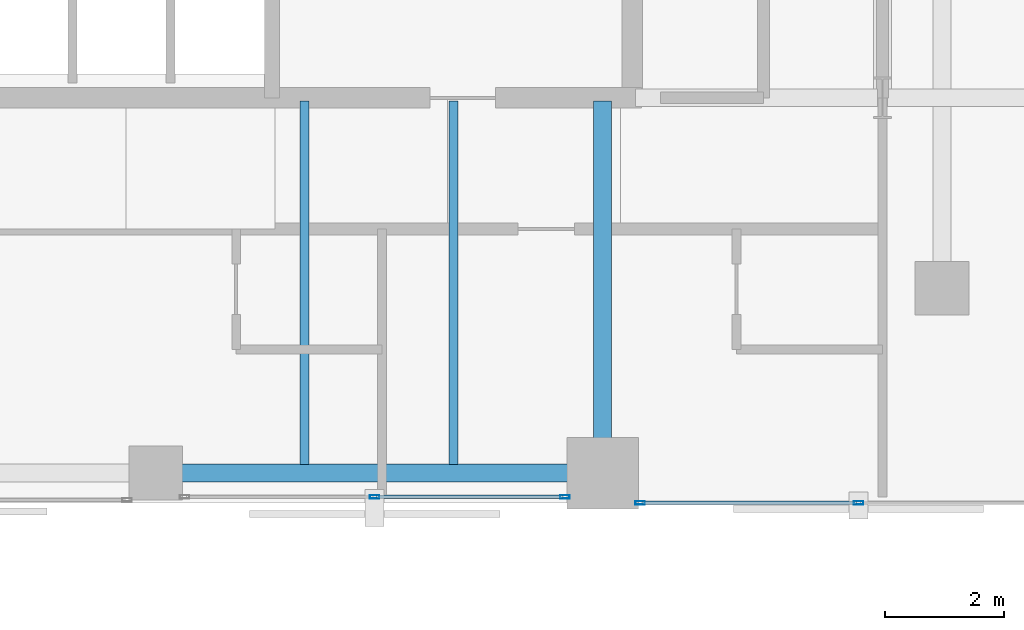
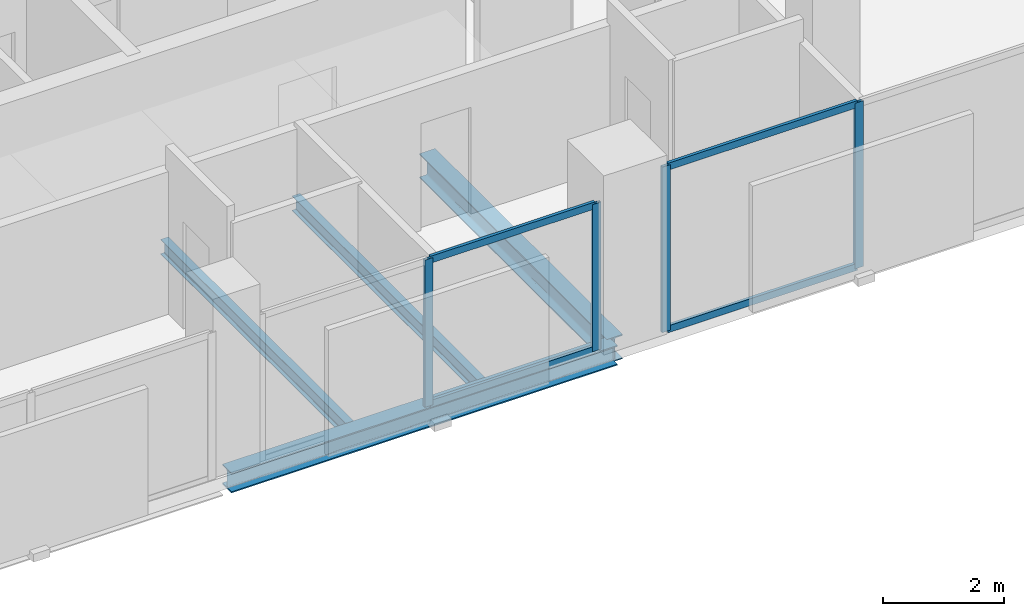
# One storey, part 14 of 33: 8 members, 4 beams, 2 elements without a shape of their own.
"""IFC4 building model written with IfcOpenShell, lengths in metres."""

from ifc_helpers import new_model, si_unit, direction, frame, origin, origin_2d, place, context, subcontext, project, spatial, hollow_rectangle, i_section, extrude, material, layer, layer_set, material_profile, profile_set, type_object, element, aggregate, save


model = new_model("IFC4")

# Units and contexts
model_context = context("Model", 3, precision=1e-05, world=origin(), true_north=direction((0.0, 1.0)))
body_context = subcontext(model_context, "Body", "Model", "MODEL_VIEW")
ifc_project = project(units=[si_unit("LENGTHUNIT", "METRE"), si_unit("AREAUNIT", "SQUARE_METRE"), si_unit("VOLUMEUNIT", "CUBIC_METRE"), si_unit("PLANEANGLEUNIT", "RADIAN"), si_unit("MASSUNIT", "GRAM", prefix="KILO")], contexts=[model_context])

# Site, building, storey
site_placement = place(None, origin())
site = spatial("IfcSite", under=ifc_project, at=site_placement, CompositionType="ELEMENT")
building_placement = place(site_placement, origin())
building = spatial("IfcBuilding", under=site, at=building_placement, Name="Catumbela Crestline Tower", CompositionType="ELEMENT")
storey_placement = place(building_placement, frame((0.0, 0.0, 100.8)))
storey = spatial("IfcBuildingStorey", under=building, at=storey_placement, Name="L25", CompositionType="ELEMENT", Elevation=100.8)

# Beams
ifc_material_1 = material(Name="Structural steel S355J2", Category="steel")
ifc_material_profile_1 = material_profile(ifc_material_1, i_section(OverallWidth=0.3, OverallDepth=0.49, WebThickness=0.012, FlangeThickness=0.023, FilletRadius=0.027, at=origin_2d()), Name="HEA 500")
ifc_profile_set_1 = profile_set([ifc_material_profile_1], Name="Structural steel S355J2")
beam_type_1 = type_object("IfcBeamType", Name="BG-HEA500", PredefinedType="BEAM", material=ifc_profile_set_1)
beam_1_placement = place(storey_placement, frame((39.5, 24.58, -0.505), z_axis=(0.0, 1.0, 0.0), x_axis=(-1.0, 0.0, 0.0)))
element("IfcBeam", 1, at=beam_1_placement, inside=storey, type_object=beam_type_1, Name="L25 Beam BM-L25-SNS31", PredefinedType="BEAM", context=body_context, shape_type="SweptSolid", body=[
    extrude(i_section(OverallWidth=0.3, OverallDepth=0.49, WebThickness=0.012, FlangeThickness=0.023, FilletRadius=0.027, at=origin_2d()), origin(), (0.0, 0.0, 1.0), 6.17),
])
ifc_material_profile_2 = material_profile(ifc_material_1, i_section(OverallWidth=0.15, OverallDepth=0.3, WebThickness=0.0071, FlangeThickness=0.0107, FilletRadius=0.015, at=origin_2d()), Name="IPE 300")
ifc_profile_set_2 = profile_set([ifc_material_profile_2], Name="Structural steel S355J2")
beam_type_2 = type_object("IfcBeamType", Name="BJ-IPE300", PredefinedType="JOIST", material=ifc_profile_set_2)
for number, where, z_axis, x_axis, name in (
    (2, (34.5, 24.647, -0.41), (0.0, 1.0, 0.0), (-1.0, 0.0, 0.0), "L25 Joist JS-L25-SP41"),
    (3, (37.0, 24.647, -0.41), (0.0, 1.0, 0.0), (-1.0, 0.0, 0.0), "L25 Joist JS-L25-SP42"),
):
    element("IfcBeam", number, at=place(storey_placement, frame(where, z_axis=z_axis, x_axis=x_axis)), inside=storey, type_object=beam_type_2, Name=name, PredefinedType="JOIST", context=body_context, shape_type="SweptSolid", body=[
        extrude(i_section(OverallWidth=0.15, OverallDepth=0.3, WebThickness=0.0071, FlangeThickness=0.0107, FilletRadius=0.015, at=origin_2d()), origin(), (0.0, 0.0, 1.0), 6.103),
    ])

# Curtain wall, members
ifc_material_2 = material(Name="Aluminium alloy AW-6060-T66", Category="aluminium")
ifc_layer = layer(ifc_material_2, 0.18, Name="Aluminium alloy AW-6060-T66")
ifc_layer_set = layer_set([ifc_layer], Name="Aluminium alloy AW-6060-T66")
curtain_wall_type = type_object("IfcCurtainWallType", Name="CWU-Z2", PredefinedType="USERDEFINED", material=ifc_layer_set)
curtain_wall_1_placement = place(storey_placement, origin())
curtain_wall_1 = element("IfcCurtainWall", 4, at=curtain_wall_1_placement, inside=storey, type_object=curtain_wall_type, Name="L25 Unitised Curtain Wall CW-L25-E3S2", ObjectType="UNITISED", PredefinedType="USERDEFINED")
ifc_material_profile_3 = material_profile(ifc_material_2, hollow_rectangle(XDim=0.06, YDim=0.16, WallThickness=0.004, at=origin_2d()), Name="ALU 160x60x4")
ifc_profile_set_3 = profile_set([ifc_material_profile_3], Name="Aluminium alloy AW-6060-T66")
member_type_1 = type_object("IfcMemberType", Name="MUL-160X60", PredefinedType="MULLION", material=ifc_profile_set_3)
member_1_placement = place(storey_placement, frame((35.675, 24.1, 0.0), z_axis=(0.0, 0.0, 1.0), x_axis=(0.0, 1.0, 0.0)))
member_1 = element("IfcMember", 5, at=member_1_placement, type_object=member_type_1, Name="CWU-Z2 mullion 2", PredefinedType="MULLION", context=body_context, shape_type="SweptSolid", body=[
    extrude(hollow_rectangle(XDim=0.06, YDim=0.16, WallThickness=0.004, at=origin_2d()), origin(), (0.0, 0.0, 1.0), 2.96),
])
member_2_placement = place(storey_placement, frame((38.8675, 24.1, 0.0), z_axis=(0.0, 0.0, 1.0), x_axis=(0.0, 1.0, 0.0)))
member_2 = element("IfcMember", 6, at=member_2_placement, type_object=member_type_1, Name="CWU-Z2 mullion 3", PredefinedType="MULLION", context=body_context, shape_type="SweptSolid", body=[
    extrude(hollow_rectangle(XDim=0.06, YDim=0.16, WallThickness=0.004, at=origin_2d()), origin(), (0.0, 0.0, 1.0), 2.96),
])

curtain_wall_2_placement = place(storey_placement, origin())
curtain_wall_2 = element("IfcCurtainWall", 7, at=curtain_wall_2_placement, inside=storey, type_object=curtain_wall_type, Name="L25 Unitised Curtain Wall CW-L25-E3S3", ObjectType="UNITISED", PredefinedType="USERDEFINED")
member_3_placement = place(storey_placement, frame((40.1325, 24.0, 0.0), z_axis=(0.0, 0.0, 1.0), x_axis=(0.0, 1.0, 0.0)))
member_3 = element("IfcMember", 8, at=member_3_placement, type_object=member_type_1, Name="CWU-Z2 mullion 1", PredefinedType="MULLION", context=body_context, shape_type="SweptSolid", body=[
    extrude(hollow_rectangle(XDim=0.06, YDim=0.16, WallThickness=0.004, at=origin_2d()), origin(), (0.0, 0.0, 1.0), 3.33),
])
member_4_placement = place(storey_placement, frame((43.8, 24.0, 0.0), z_axis=(0.0, 0.0, 1.0), x_axis=(0.0, 1.0, 0.0)))
member_4 = element("IfcMember", 9, at=member_4_placement, type_object=member_type_1, Name="CWU-Z2 mullion 2", PredefinedType="MULLION", context=body_context, shape_type="SweptSolid", body=[
    extrude(hollow_rectangle(XDim=0.06, YDim=0.16, WallThickness=0.004, at=origin_2d()), origin(), (0.0, 0.0, 1.0), 3.33),
])

# Beam
ifc_material_profile_4 = material_profile(ifc_material_1, i_section(OverallWidth=0.3, OverallDepth=0.4, WebThickness=0.0135, FlangeThickness=0.024, FilletRadius=0.027, at=origin_2d()), Name="HEB 400")
ifc_profile_set_4 = profile_set([ifc_material_profile_4], Name="Structural steel S355J2")
beam_type_3 = type_object("IfcBeamType", Name="BS-HEB400", PredefinedType="SPANDREL", material=ifc_profile_set_4)
beam_2_placement = place(storey_placement, frame((32.08, 24.5, -0.46), z_axis=(1.0, 0.0, 0.0), x_axis=(0.0, 1.0, 0.0)))
element("IfcBeam", 10, at=beam_2_placement, inside=storey, type_object=beam_type_3, Name="L25 Spandrel SP-L25-S06", PredefinedType="SPANDREL", context=body_context, shape_type="SweptSolid", body=[
    extrude(i_section(OverallWidth=0.3, OverallDepth=0.4, WebThickness=0.0135, FlangeThickness=0.024, FilletRadius=0.027, at=origin_2d()), origin(), (0.0, 0.0, 1.0), 7.34),
])

# Member
ifc_material_profile_5 = material_profile(ifc_material_2, hollow_rectangle(XDim=0.06, YDim=0.14, WallThickness=0.004, at=origin_2d()), Name="ALU 140x60x4")
ifc_profile_set_5 = profile_set([ifc_material_profile_5], Name="Aluminium alloy AW-6060-T66")
member_type_2 = type_object("IfcMemberType", Name="TRN-140X60", PredefinedType="USERDEFINED", material=ifc_profile_set_5)
member_5_placement = place(storey_placement, frame((35.7075, 24.1, 0.03), z_axis=(1.0, 0.0, 0.0), x_axis=(0.0, 1.0, 0.0)))
member_5 = element("IfcMember", 11, at=member_5_placement, type_object=member_type_2, Name="CWU-Z2 transom 2.1", ObjectType="TRANSOM", PredefinedType="USERDEFINED", context=body_context, shape_type="SweptSolid", body=[
    extrude(hollow_rectangle(XDim=0.06, YDim=0.14, WallThickness=0.004, at=origin_2d()), origin(), (0.0, 0.0, 1.0), 3.1275),
])

member_6_placement = place(storey_placement, frame((35.7075, 24.1, 2.93), z_axis=(1.0, 0.0, 0.0), x_axis=(0.0, 1.0, 0.0)))
member_6 = element("IfcMember", 12, at=member_6_placement, type_object=member_type_2, Name="CWU-Z2 transom 2.2", ObjectType="TRANSOM", PredefinedType="USERDEFINED", context=body_context, shape_type="SweptSolid", body=[
    extrude(hollow_rectangle(XDim=0.06, YDim=0.14, WallThickness=0.004, at=origin_2d()), origin(), (0.0, 0.0, 1.0), 3.1275),
])

aggregate(curtain_wall_1, [member_1, member_2, member_5, member_6])

member_7_placement = place(storey_placement, frame((40.165, 24.0, 0.03), z_axis=(1.0, 0.0, 0.0), x_axis=(0.0, 1.0, 0.0)))
member_7 = element("IfcMember", 13, at=member_7_placement, type_object=member_type_2, Name="CWU-Z2 transom 1.1", ObjectType="TRANSOM", PredefinedType="USERDEFINED", context=body_context, shape_type="SweptSolid", body=[
    extrude(hollow_rectangle(XDim=0.06, YDim=0.14, WallThickness=0.004, at=origin_2d()), origin(), (0.0, 0.0, 1.0), 3.6025),
])

member_8_placement = place(storey_placement, frame((40.165, 24.0, 3.3), z_axis=(1.0, 0.0, 0.0), x_axis=(0.0, 1.0, 0.0)))
member_8 = element("IfcMember", 14, at=member_8_placement, type_object=member_type_2, Name="CWU-Z2 transom 1.2", ObjectType="TRANSOM", PredefinedType="USERDEFINED", context=body_context, shape_type="SweptSolid", body=[
    extrude(hollow_rectangle(XDim=0.06, YDim=0.14, WallThickness=0.004, at=origin_2d()), origin(), (0.0, 0.0, 1.0), 3.6025),
])

aggregate(curtain_wall_2, [member_3, member_4, member_7, member_8])

save(model, "model.ifc")
